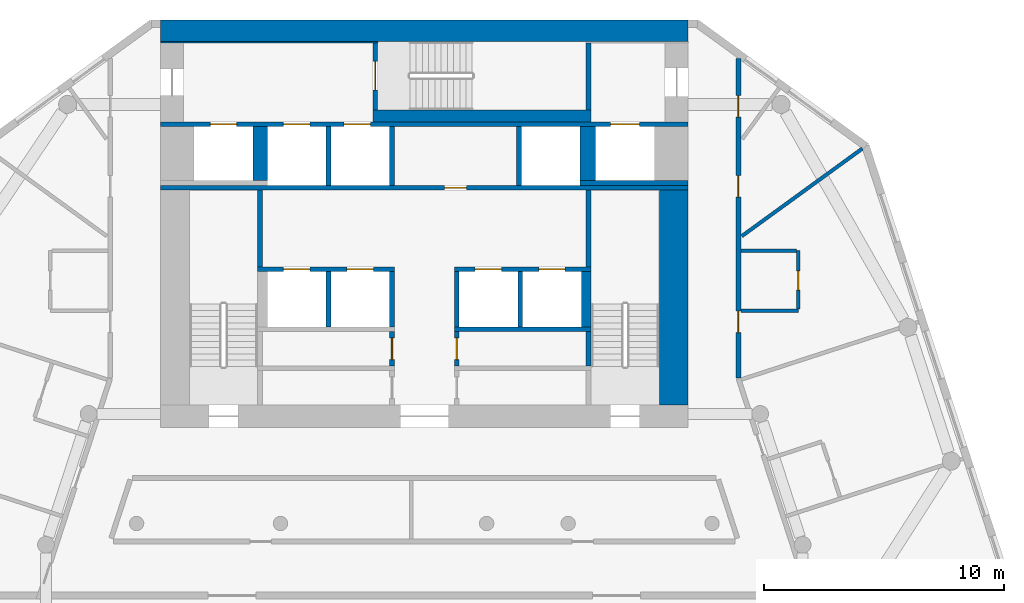
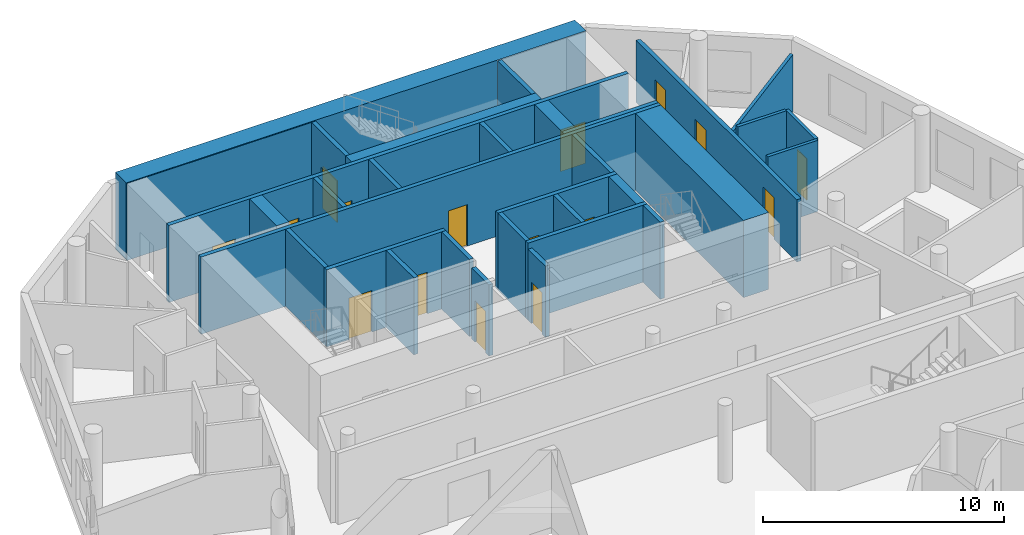
# One storey, part 6 of 9: 32 walls, 16 doors, 16 openings.
"""IFC4 building model written with IfcOpenShell, lengths in metres."""

from ifc_helpers import new_model, si_unit, direction, frame, frame_2d, origin, place, context, subcontext, project, spatial, rectangle, extrude, material, layer, layer_set, type_object, element, fill, save


model = new_model("IFC4")

# Units and contexts
model_context = context("Model", 3, precision=1e-05, world=origin(), true_north=direction((0.0, 1.0)))
body_context = subcontext(model_context, "Body", "Model", "MODEL_VIEW")
ifc_project = project(units=[si_unit("LENGTHUNIT", "METRE"), si_unit("AREAUNIT", "SQUARE_METRE"), si_unit("VOLUMEUNIT", "CUBIC_METRE"), si_unit("PLANEANGLEUNIT", "RADIAN"), si_unit("MASSUNIT", "GRAM", prefix="KILO")], contexts=[model_context])

# Site, building, storey
site_placement = place(None, origin())
site = spatial("IfcSite", under=ifc_project, at=site_placement, CompositionType="ELEMENT")
building_placement = place(site_placement, origin())
building = spatial("IfcBuilding", under=site, at=building_placement, Name="White Candle Pilgrim Tower", CompositionType="ELEMENT")
storey_placement = place(building_placement, frame((0.0, 0.0, 187.60009765625)))
storey = spatial("IfcBuildingStorey", under=building, at=storey_placement, Name="L43", CompositionType="ELEMENT", Elevation=187.60009765625)

# Wall
ifc_material_1 = material(Name="Concrete C60/75", Category="concrete")
ifc_layer_1 = layer(ifc_material_1, 0.199951171875)
ifc_layer_set_1 = layer_set([ifc_layer_1], Name="Core wall 200 mm Concrete C60/75")
wall_type_1 = type_object("IfcWallType", Name="Core wall 200 mm Concrete C60/75", PredefinedType="SHEAR", material=ifc_layer_set_1)
wall_1_placement = place(storey_placement, frame((76.5, 81.199951171875, 0.0), z_axis=(0.0, 0.0, 1.0), x_axis=(1.0, 0.0, 0.0)))
element("IfcWall", 1, at=wall_1_placement, inside=storey, type_object=wall_type_1, Name="WL-L43-C41", PredefinedType="SHEAR", context=body_context, shape_type="SweptSolid", body=[
    extrude(rectangle(XDim=4.5, YDim=0.199951171875, at=frame_2d((2.25, 0.0))), origin(), (0.0, 0.0, 1.0), 3.89990234375),
])

# Wall, openings, doors
wall_2_placement = place(storey_placement, frame((59.0, 83.64990234375, 0.0), z_axis=(0.0, 0.0, 1.0), x_axis=(1.0, 0.0, 0.0)))
wall_2 = element("IfcWall", 2, at=wall_2_placement, inside=storey, type_object=wall_type_1, Name="WL-L43-C46", PredefinedType="SHEAR", context=body_context, shape_type="SweptSolid", body=[
    extrude(rectangle(XDim=22.0, YDim=0.199951171875, at=frame_2d((11.0, 0.0))), origin(), (0.0, 0.0, 1.0), 3.89990234375),
])
opening_1_placement = place(wall_2_placement, frame((5.125, 0.0, 0.0)))
opening_1 = element("IfcOpeningElement", 3, at=opening_1_placement, cuts=wall_2, Name="Opening T13-019", PredefinedType="OPENING", context=body_context, shape_type="SweptSolid", body=[
    extrude(rectangle(XDim=1.10009765625, YDim=2.10009765625, at=frame_2d((0.550048828125, 1.050048828125))), frame((0.0, 0.10986328125, 0.0), z_axis=(0.0, -1.0, 0.0), x_axis=(1.0, 0.0, 0.0)), (0.0, 0.0, 1.0), 0.219970703125),
])
opening_2_placement = place(wall_2_placement, frame((7.64990234375, 0.0, 0.0)))
opening_2 = element("IfcOpeningElement", 4, at=opening_2_placement, cuts=wall_2, Name="Opening T13-020", PredefinedType="OPENING", context=body_context, shape_type="SweptSolid", body=[
    extrude(rectangle(XDim=1.10009765625, YDim=2.10009765625, at=frame_2d((0.550048828125, 1.050048828125))), frame((0.0, 0.10986328125, 0.0), z_axis=(0.0, -1.0, 0.0), x_axis=(1.0, 0.0, 0.0)), (0.0, 0.0, 1.0), 0.219970703125),
])
opening_3_placement = place(wall_2_placement, frame((18.77490234375, 0.0, 0.0)))
opening_3 = element("IfcOpeningElement", 5, at=opening_3_placement, cuts=wall_2, Name="Opening T13-021", PredefinedType="OPENING", context=body_context, shape_type="SweptSolid", body=[
    extrude(rectangle(XDim=1.199951171875, YDim=2.10009765625, at=frame_2d((0.60009765625, 1.050048828125))), frame((0.0, 0.10986328125, 0.0), z_axis=(0.0, -1.0, 0.0), x_axis=(1.0, 0.0, 0.0)), (0.0, 0.0, 1.0), 0.219970703125),
])
opening_4_placement = place(wall_2_placement, frame((2.074951171875, 0.0, 0.0)))
opening_4 = element("IfcOpeningElement", 6, at=opening_4_placement, cuts=wall_2, Name="Opening T13-022", PredefinedType="OPENING", context=body_context, shape_type="SweptSolid", body=[
    extrude(rectangle(XDim=1.10009765625, YDim=2.10009765625, at=frame_2d((0.550048828125, 1.050048828125))), frame((0.0, 0.10986328125, 0.0), z_axis=(0.0, -1.0, 0.0), x_axis=(1.0, 0.0, 0.0)), (0.0, 0.0, 1.0), 0.219970703125),
])
ifc_material_2 = material(Name="Stainless steel", Category="steel")
door_type_1 = type_object("IfcDoorType", Name="Lift landing door 1100 x 2100 EI 60", OperationType="DOUBLE_DOOR_SLIDING", PredefinedType="DOOR", material=ifc_material_2)
door_1_placement = place(opening_1_placement, origin())
door_1 = element("IfcDoor", 7, at=door_1_placement, inside=storey, type_object=door_type_1, Name="Door T13-019", OperationType="DOUBLE_DOOR_SLIDING", OverallHeight=2.10009765625, OverallWidth=1.10009765625, PredefinedType="DOOR", context=body_context, shape_type="SweptSolid", body=[
    extrude(rectangle(XDim=1.10009765625, YDim=2.10009765625, at=frame_2d((0.550048828125, 1.050048828125))), frame((0.0, 0.02490234375, 0.0), z_axis=(0.0, -1.0, 0.0), x_axis=(1.0, 0.0, 0.0)), (0.0, 0.0, 1.0), 0.050048828125),
])
fill(opening_1, door_1)
door_2_placement = place(opening_2_placement, origin())
door_2 = element("IfcDoor", 8, at=door_2_placement, inside=storey, type_object=door_type_1, Name="Door T13-020", OperationType="DOUBLE_DOOR_SLIDING", OverallHeight=2.10009765625, OverallWidth=1.10009765625, PredefinedType="DOOR", context=body_context, shape_type="SweptSolid", body=[
    extrude(rectangle(XDim=1.10009765625, YDim=2.10009765625, at=frame_2d((0.550048828125, 1.050048828125))), frame((0.0, 0.02490234375, 0.0), z_axis=(0.0, -1.0, 0.0), x_axis=(1.0, 0.0, 0.0)), (0.0, 0.0, 1.0), 0.050048828125),
])
fill(opening_2, door_2)
door_3_placement = place(opening_4_placement, origin())
door_3 = element("IfcDoor", 9, at=door_3_placement, inside=storey, type_object=door_type_1, Name="Door T13-022", OperationType="DOUBLE_DOOR_SLIDING", OverallHeight=2.10009765625, OverallWidth=1.10009765625, PredefinedType="DOOR", context=body_context, shape_type="SweptSolid", body=[
    extrude(rectangle(XDim=1.10009765625, YDim=2.10009765625, at=frame_2d((0.550048828125, 1.050048828125))), frame((0.0, 0.02490234375, 0.0), z_axis=(0.0, -1.0, 0.0), x_axis=(1.0, 0.0, 0.0)), (0.0, 0.0, 1.0), 0.050048828125),
])
fill(opening_4, door_3)
door_type_2 = type_object("IfcDoorType", Name="Lift landing door 1200 x 2100 E 60", OperationType="DOUBLE_DOOR_SLIDING", PredefinedType="DOOR", material=ifc_material_2)
door_4_placement = place(opening_3_placement, origin())
door_4 = element("IfcDoor", 10, at=door_4_placement, inside=storey, type_object=door_type_2, Name="Door T13-021", OperationType="DOUBLE_DOOR_SLIDING", OverallHeight=2.10009765625, OverallWidth=1.199951171875, PredefinedType="DOOR", context=body_context, shape_type="SweptSolid", body=[
    extrude(rectangle(XDim=1.199951171875, YDim=2.10009765625, at=frame_2d((0.60009765625, 1.050048828125))), frame((0.0, 0.02490234375, 0.0), z_axis=(0.0, -1.0, 0.0), x_axis=(1.0, 0.0, 0.0)), (0.0, 0.0, 1.0), 0.050048828125),
])
fill(opening_3, door_4)

ifc_material_3 = material(Name="Gypsum board on steel studs", Category="steel")
ifc_layer_2 = layer(ifc_material_3, 0.199951171875)
ifc_layer_set_2 = layer_set([ifc_layer_2], Name="Corridor wall 200 mm EI 45")
wall_type_2 = type_object("IfcWallType", Name="Corridor wall 200 mm EI 45", PredefinedType="PARTITIONING", material=ifc_layer_set_2)
wall_3_placement = place(storey_placement, frame((83.10009765625, 86.396240234375, 0.0), z_axis=(0.0, 0.0, 1.0), x_axis=(0.0, -1.0, 0.0)))
wall_3 = element("IfcWall", 11, at=wall_3_placement, inside=storey, type_object=wall_type_2, Name="WL-L43-P004", PredefinedType="PARTITIONING", context=body_context, shape_type="SweptSolid", body=[
    extrude(rectangle(XDim=13.32421875, YDim=0.199951171875, at=frame_2d((6.662109375, 0.0))), origin(), (0.0, 0.0, 1.0), 3.14990234375),
])
opening_5_placement = place(wall_3_placement, frame((1.548583984375, 0.0, 0.0)))
opening_5 = element("IfcOpeningElement", 12, at=opening_5_placement, cuts=wall_3, Name="Opening T13-129", PredefinedType="OPENING", context=body_context, shape_type="SweptSolid", body=[
    extrude(rectangle(XDim=0.89990234375, YDim=2.10009765625, at=frame_2d((0.449951171875, 1.050048828125))), frame((0.0, 0.10986328125, 0.0), z_axis=(0.0, -1.0, 0.0), x_axis=(1.0, 0.0, 0.0)), (0.0, 0.0, 1.0), 0.219970703125),
])
opening_6_placement = place(wall_3_placement, frame((4.882568359375, 0.0, 0.0)))
opening_6 = element("IfcOpeningElement", 13, at=opening_6_placement, cuts=wall_3, Name="Opening T13-130", PredefinedType="OPENING", context=body_context, shape_type="SweptSolid", body=[
    extrude(rectangle(XDim=0.89990234375, YDim=2.10009765625, at=frame_2d((0.449951171875, 1.050048828125))), frame((0.0, 0.10986328125, 0.0), z_axis=(0.0, -1.0, 0.0), x_axis=(1.0, 0.0, 0.0)), (0.0, 0.0, 1.0), 0.219970703125),
])
opening_7_placement = place(wall_3_placement, frame((10.53857421875, 0.0, 0.0)))
opening_7 = element("IfcOpeningElement", 14, at=opening_7_placement, cuts=wall_3, Name="Opening T13-131", PredefinedType="OPENING", context=body_context, shape_type="SweptSolid", body=[
    extrude(rectangle(XDim=0.89990234375, YDim=2.10009765625, at=frame_2d((0.449951171875, 1.050048828125))), frame((0.0, 0.10986328125, 0.0), z_axis=(0.0, -1.0, 0.0), x_axis=(1.0, 0.0, 0.0)), (0.0, 0.0, 1.0), 0.219970703125),
])
ifc_material_4 = material(Name="Steel door leaf", Category="steel")
door_type_3 = type_object("IfcDoorType", Name="Fire door 900 x 2100 EI 30", OperationType="NOTDEFINED", PredefinedType="DOOR", material=ifc_material_4)
door_5_placement = place(opening_5_placement, origin())
door_5 = element("IfcDoor", 15, at=door_5_placement, inside=storey, type_object=door_type_3, Name="Door T13-129", OperationType="SINGLE_SWING_LEFT", OverallHeight=2.10009765625, OverallWidth=0.89990234375, PredefinedType="DOOR", context=body_context, shape_type="SweptSolid", body=[
    extrude(rectangle(XDim=0.89990234375, YDim=2.10009765625, at=frame_2d((0.449951171875, 1.050048828125))), frame((0.0, 0.02490234375, 0.0), z_axis=(0.0, -1.0, 0.0), x_axis=(1.0, 0.0, 0.0)), (0.0, 0.0, 1.0), 0.050048828125),
])
fill(opening_5, door_5)
door_6_placement = place(opening_6_placement, origin())
door_6 = element("IfcDoor", 16, at=door_6_placement, inside=storey, type_object=door_type_3, Name="Door T13-130", OperationType="SINGLE_SWING_RIGHT", OverallHeight=2.10009765625, OverallWidth=0.89990234375, PredefinedType="DOOR", context=body_context, shape_type="SweptSolid", body=[
    extrude(rectangle(XDim=0.89990234375, YDim=2.10009765625, at=frame_2d((0.449951171875, 1.050048828125))), frame((0.0, 0.02490234375, 0.0), z_axis=(0.0, -1.0, 0.0), x_axis=(1.0, 0.0, 0.0)), (0.0, 0.0, 1.0), 0.050048828125),
])
fill(opening_6, door_6)
door_7_placement = place(opening_7_placement, frame((0.89990234375, 0.0, 0.0), z_axis=(0.0, 0.0, 1.0), x_axis=(-1.0, 0.0, 0.0)))
door_7 = element("IfcDoor", 17, at=door_7_placement, inside=storey, type_object=door_type_3, Name="Door T13-131", OperationType="SINGLE_SWING_RIGHT", OverallHeight=2.10009765625, OverallWidth=0.89990234375, PredefinedType="DOOR", context=body_context, shape_type="SweptSolid", body=[
    extrude(rectangle(XDim=0.89990234375, YDim=2.10009765625, at=frame_2d((0.449951171875, 1.050048828125))), frame((0.0, 0.02490234375, 0.0), z_axis=(0.0, -1.0, 0.0), x_axis=(1.0, 0.0, 0.0)), (0.0, 0.0, 1.0), 0.050048828125),
])
fill(opening_7, door_7)

# Wall, opening, door
ifc_layer_3 = layer(ifc_material_3, 0.199951171875)
ifc_layer_set_3 = layer_set([ifc_layer_3], Name="Lobby wall 200 mm EI 60")
wall_type_3 = type_object("IfcWallType", Name="Lobby wall 200 mm EI 60", PredefinedType="PARTITIONING", material=ifc_layer_set_3)
wall_4_placement = place(storey_placement, frame((68.64990234375, 73.574951171875, 0.0), z_axis=(0.0, 0.0, 1.0), x_axis=(0.0, 1.0, 0.0)))
wall_4 = element("IfcWall", 18, at=wall_4_placement, inside=storey, type_object=wall_type_3, Name="WL-L43-C21", PredefinedType="PARTITIONING", context=body_context, shape_type="SweptSolid", body=[
    extrude(rectangle(XDim=1.425048828125, YDim=0.199951171875, at=frame_2d((0.71240234375, 0.0))), origin(), (0.0, 0.0, 1.0), 3.599853515625),
])
opening_8_placement = place(wall_4_placement, frame((0.262451171875, 0.0, 0.0)))
opening_8 = element("IfcOpeningElement", 19, at=opening_8_placement, cuts=wall_4, Name="Opening T13-006", PredefinedType="OPENING", context=body_context, shape_type="SweptSolid", body=[
    extrude(rectangle(XDim=0.89990234375, YDim=2.10009765625, at=frame_2d((0.449951171875, 1.050048828125))), frame((0.0, 0.10986328125, 0.0), z_axis=(0.0, -1.0, 0.0), x_axis=(1.0, 0.0, 0.0)), (0.0, 0.0, 1.0), 0.219970703125),
])
door_8_placement = place(opening_8_placement, origin())
door_8 = element("IfcDoor", 20, at=door_8_placement, inside=storey, type_object=door_type_3, Name="Door T13-006", OperationType="SINGLE_SWING_RIGHT", OverallHeight=2.10009765625, OverallWidth=0.89990234375, PredefinedType="DOOR", context=body_context, shape_type="SweptSolid", body=[
    extrude(rectangle(XDim=0.89990234375, YDim=2.10009765625, at=frame_2d((0.449951171875, 1.050048828125))), frame((0.0, 0.02490234375, 0.0), z_axis=(0.0, -1.0, 0.0), x_axis=(1.0, 0.0, 0.0)), (0.0, 0.0, 1.0), 0.050048828125),
])
fill(opening_8, door_8)

wall_5_placement = place(storey_placement, frame((71.35009765625, 73.574951171875, 0.0), z_axis=(0.0, 0.0, 1.0), x_axis=(0.0, 1.0, 0.0)))
wall_5 = element("IfcWall", 21, at=wall_5_placement, inside=storey, type_object=wall_type_3, Name="WL-L43-C22", PredefinedType="PARTITIONING", context=body_context, shape_type="SweptSolid", body=[
    extrude(rectangle(XDim=1.425048828125, YDim=0.199951171875, at=frame_2d((0.71240234375, 0.0))), origin(), (0.0, 0.0, 1.0), 3.599853515625),
])
opening_9_placement = place(wall_5_placement, frame((0.262451171875, 0.0, 0.0)))
opening_9 = element("IfcOpeningElement", 22, at=opening_9_placement, cuts=wall_5, Name="Opening T13-008", PredefinedType="OPENING", context=body_context, shape_type="SweptSolid", body=[
    extrude(rectangle(XDim=0.89990234375, YDim=2.10009765625, at=frame_2d((0.449951171875, 1.050048828125))), frame((0.0, 0.10986328125, 0.0), z_axis=(0.0, -1.0, 0.0), x_axis=(1.0, 0.0, 0.0)), (0.0, 0.0, 1.0), 0.219970703125),
])
door_9_placement = place(opening_9_placement, origin())
door_9 = element("IfcDoor", 23, at=door_9_placement, inside=storey, type_object=door_type_3, Name="Door T13-008", OperationType="SINGLE_SWING_RIGHT", OverallHeight=2.10009765625, OverallWidth=0.89990234375, PredefinedType="DOOR", context=body_context, shape_type="SweptSolid", body=[
    extrude(rectangle(XDim=0.89990234375, YDim=2.10009765625, at=frame_2d((0.449951171875, 1.050048828125))), frame((0.0, 0.02490234375, 0.0), z_axis=(0.0, -1.0, 0.0), x_axis=(1.0, 0.0, 0.0)), (0.0, 0.0, 1.0), 0.050048828125),
])
fill(opening_9, door_9)

# Walls
ifc_layer_4 = layer(ifc_material_3, 0.14990234375)
ifc_layer_set_4 = layer_set([ifc_layer_4], Name="Partition 150 mm EI 60")
wall_type_4 = type_object("IfcWallType", Name="Partition 150 mm EI 60", PredefinedType="PARTITIONING", material=ifc_layer_set_4)
wall_6_placement = place(storey_placement, frame((88.272216796875, 82.638427734375, 0.0), z_axis=(0.0, 0.0, 1.0), x_axis=(-0.809038352218, -0.58775585462, 0.0)))
element("IfcWall", 24, at=wall_6_placement, inside=storey, type_object=wall_type_4, Name="WL-L43-P024", PredefinedType="PARTITIONING", context=body_context, shape_type="SweptSolid", body=[
    extrude(rectangle(XDim=6.21484375, YDim=0.14990234375, at=frame_2d((3.107421875, 0.0))), origin(), (0.0, 0.0, 1.0), 2.89990234375),
])
wall_7_placement = place(storey_placement, frame((83.199951171875, 75.880859375, 0.0), z_axis=(0.0, 0.0, 1.0), x_axis=(1.0, 0.0, 0.0)))
element("IfcWall", 25, at=wall_7_placement, inside=storey, type_object=wall_type_4, Name="WL-L43-P055", PredefinedType="PARTITIONING", context=body_context, shape_type="SweptSolid", body=[
    extrude(rectangle(XDim=2.400146484375, YDim=0.14990234375, at=frame_2d((1.2001953125, 0.0))), origin(), (0.0, 0.0, 1.0), 3.599853515625),
])

# Wall, opening, door
wall_8_placement = place(storey_placement, frame((85.60009765625, 78.380859375, 0.0), z_axis=(0.0, 0.0, 1.0), x_axis=(0.0, -1.0, 0.0)))
wall_8 = element("IfcWall", 26, at=wall_8_placement, inside=storey, type_object=wall_type_4, Name="WL-L43-P056", PredefinedType="PARTITIONING", context=body_context, shape_type="SweptSolid", body=[
    extrude(rectangle(XDim=2.425048828125, YDim=0.14990234375, at=frame_2d((1.21240234375, 0.0))), origin(), (0.0, 0.0, 1.0), 3.599853515625),
])
opening_10_placement = place(wall_8_placement, frame((0.85009765625, 0.0, 0.0)))
opening_10 = element("IfcOpeningElement", 27, at=opening_10_placement, cuts=wall_8, Name="Opening T13-119", PredefinedType="OPENING", context=body_context, shape_type="SweptSolid", body=[
    extrude(rectangle(XDim=0.800048828125, YDim=2.10009765625, at=frame_2d((0.39990234375, 1.050048828125))), frame((0.0, 0.0849609375, 0.0), z_axis=(0.0, -1.0, 0.0), x_axis=(1.0, 0.0, 0.0)), (0.0, 0.0, 1.0), 0.169921875),
])
door_type_4 = type_object("IfcDoorType", Name="Fire door 800 x 2100 EI 30", OperationType="NOTDEFINED", PredefinedType="DOOR", material=ifc_material_4)
door_10_placement = place(opening_10_placement, origin())
door_10 = element("IfcDoor", 28, at=door_10_placement, inside=storey, type_object=door_type_4, Name="Door T13-119", OperationType="SINGLE_SWING_LEFT", OverallHeight=2.10009765625, OverallWidth=0.800048828125, PredefinedType="DOOR", context=body_context, shape_type="SweptSolid", body=[
    extrude(rectangle(XDim=0.800048828125, YDim=2.10009765625, at=frame_2d((0.39990234375, 1.050048828125))), frame((0.0, 0.02490234375, 0.0), z_axis=(0.0, -1.0, 0.0), x_axis=(1.0, 0.0, 0.0)), (0.0, 0.0, 1.0), 0.050048828125),
])
fill(opening_10, door_10)

# Walls
wall_9_placement = place(storey_placement, frame((83.199951171875, 78.380859375, 0.0), z_axis=(0.0, 0.0, 1.0), x_axis=(1.0, 0.0, 0.0)))
element("IfcWall", 29, at=wall_9_placement, inside=storey, type_object=wall_type_4, Name="WL-L43-P057", PredefinedType="PARTITIONING", context=body_context, shape_type="SweptSolid", body=[
    extrude(rectangle(XDim=2.324951171875, YDim=0.14990234375, at=frame_2d((1.16259765625, 0.0))), origin(), (0.0, 0.0, 1.0), 3.599853515625),
])
ifc_layer_5 = layer(ifc_material_1, 0.199951171875)
ifc_layer_set_5 = layer_set([ifc_layer_5], Name="Shaft wall 200 mm Concrete C60/75")
wall_type_5 = type_object("IfcWallType", Name="Shaft wall 200 mm Concrete C60/75", PredefinedType="SHEAR", material=ifc_layer_set_5)
for number, where, z_axis, x_axis, name in (
    (30, (66.0, 75.199951171875, 0.0), (0.0, 0.0, 1.0), (0.0, 1.0, 0.0), "WL-L43-C27"),
    (31, (68.64990234375, 75.199951171875, 0.0), (0.0, 0.0, 1.0), (0.0, 1.0, 0.0), "WL-L43-C28"),
    (32, (71.35009765625, 75.199951171875, 0.0), (0.0, 0.0, 1.0), (0.0, 1.0, 0.0), "WL-L43-C29"),
    (33, (74.0, 75.199951171875, 0.0), (0.0, 0.0, 1.0), (0.0, 1.0, 0.0), "WL-L43-C30"),
):
    element("IfcWall", number, at=place(storey_placement, frame(where, z_axis=z_axis, x_axis=x_axis)), inside=storey, type_object=wall_type_5, Name=name, PredefinedType="SHEAR", context=body_context, shape_type="SweptSolid", body=[
        extrude(rectangle(XDim=2.300048828125, YDim=0.199951171875, at=frame_2d((1.14990234375, 0.0))), origin(), (0.0, 0.0, 1.0), 3.89990234375),
    ])
for number, where, z_axis, x_axis, name in (
    (34, (66.0, 81.10009765625, 0.0), (0.0, 0.0, 1.0), (0.0, 1.0, 0.0), "WL-L43-C38"),
    (35, (68.64990234375, 81.10009765625, 0.0), (0.0, 0.0, 1.0), (0.0, 1.0, 0.0), "WL-L43-C39"),
    (36, (73.949951171875, 81.10009765625, 0.0), (0.0, 0.0, 1.0), (0.0, 1.0, 0.0), "WL-L43-C40"),
):
    element("IfcWall", number, at=place(storey_placement, frame(where, z_axis=z_axis, x_axis=x_axis)), inside=storey, type_object=wall_type_5, Name=name, PredefinedType="SHEAR", context=body_context, shape_type="SweptSolid", body=[
        extrude(rectangle(XDim=2.449951171875, YDim=0.199951171875, at=frame_2d((1.22509765625, 0.0))), origin(), (0.0, 0.0, 1.0), 3.89990234375),
    ])
ifc_layer_6 = layer(ifc_material_1, 0.60009765625)
ifc_layer_set_6 = layer_set([ifc_layer_6], Name="Shaft wall 600 mm Concrete C60/75")
wall_type_6 = type_object("IfcWallType", Name="Shaft wall 600 mm Concrete C60/75", PredefinedType="SHEAR", material=ifc_layer_set_6)
wall_10_placement = place(storey_placement, frame((63.14990234375, 81.300048828125, 0.0), z_axis=(0.0, 0.0, 1.0), x_axis=(0.0, 1.0, 0.0)))
element("IfcWall", 37, at=wall_10_placement, inside=storey, type_object=wall_type_6, Name="WL-L43-C43", PredefinedType="SHEAR", context=body_context, shape_type="SweptSolid", body=[
    extrude(rectangle(XDim=2.25, YDim=0.60009765625, at=frame_2d((1.125, 0.0))), origin(), (0.0, 0.0, 1.0), 3.89990234375),
])
ifc_layer_7 = layer(ifc_material_1, 0.64990234375)
ifc_layer_set_7 = layer_set([ifc_layer_7], Name="Shaft wall 650 mm Concrete C60/75")
wall_type_7 = type_object("IfcWallType", Name="Shaft wall 650 mm Concrete C60/75", PredefinedType="SHEAR", material=ifc_layer_set_7)
wall_11_placement = place(storey_placement, frame((76.824951171875, 81.300048828125, 0.0), z_axis=(0.0, 0.0, 1.0), x_axis=(0.0, 1.0, 0.0)))
element("IfcWall", 38, at=wall_11_placement, inside=storey, type_object=wall_type_7, Name="WL-L43-C44", PredefinedType="SHEAR", context=body_context, shape_type="SweptSolid", body=[
    extrude(rectangle(XDim=2.25, YDim=0.64990234375, at=frame_2d((1.125, 0.0))), origin(), (0.0, 0.0, 1.0), 3.89990234375),
])
ifc_layer_8 = layer(ifc_material_1, 1.199951171875)
ifc_layer_set_8 = layer_set([ifc_layer_8], Name="Stair shaft wall 1200 mm Concrete C60/75")
wall_type_8 = type_object("IfcWallType", Name="Stair shaft wall 1200 mm Concrete C60/75", PredefinedType="SHEAR", material=ifc_layer_set_8)
wall_12_placement = place(storey_placement, frame((80.39990234375, 71.949951171875, 0.0), z_axis=(0.0, 0.0, 1.0), x_axis=(0.0, 1.0, 0.0)))
element("IfcWall", 39, at=wall_12_placement, inside=storey, type_object=wall_type_8, Name="WL-L43-C17", PredefinedType="SHEAR", context=body_context, shape_type="SweptSolid", body=[
    extrude(rectangle(XDim=8.949951171875, YDim=1.199951171875, at=frame_2d((4.47509765625, 0.0))), origin(), (0.0, 0.0, 1.0), 3.89990234375),
])
ifc_layer_9 = layer(ifc_material_1, 0.199951171875)
ifc_layer_set_9 = layer_set([ifc_layer_9], Name="Stair shaft wall 200 mm Concrete C60/75")
wall_type_9 = type_object("IfcWallType", Name="Stair shaft wall 200 mm Concrete C60/75", PredefinedType="SHEAR", material=ifc_layer_set_9)
wall_13_placement = place(storey_placement, frame((76.85009765625, 73.574951171875, 0.0), z_axis=(0.0, 0.0, 1.0), x_axis=(0.0, 1.0, 0.0)))
element("IfcWall", 40, at=wall_13_placement, inside=storey, type_object=wall_type_9, Name="WL-L43-C23", PredefinedType="SHEAR", context=body_context, shape_type="SweptSolid", body=[
    extrude(rectangle(XDim=1.425048828125, YDim=0.199951171875, at=frame_2d((0.71240234375, 0.0))), origin(), (0.0, 0.0, 1.0), 3.89990234375),
])
wall_14_placement = place(storey_placement, frame((71.25, 75.10009765625, 0.0), z_axis=(0.0, 0.0, 1.0), x_axis=(1.0, 0.0, 0.0)))
element("IfcWall", 41, at=wall_14_placement, inside=storey, type_object=wall_type_9, Name="WL-L43-C25", PredefinedType="SHEAR", context=body_context, shape_type="SweptSolid", body=[
    extrude(rectangle(XDim=5.699951171875, YDim=0.199951171875, at=frame_2d((2.85009765625, 0.0))), origin(), (0.0, 0.0, 1.0), 3.89990234375),
])

# Wall, openings, doors
wall_15_placement = place(storey_placement, frame((63.050048828125, 77.60009765625, 0.0), z_axis=(0.0, 0.0, 1.0), x_axis=(1.0, 0.0, 0.0)))
wall_15 = element("IfcWall", 42, at=wall_15_placement, inside=storey, type_object=wall_type_9, Name="WL-L43-C32", PredefinedType="SHEAR", context=body_context, shape_type="SweptSolid", body=[
    extrude(rectangle(XDim=5.699951171875, YDim=0.199951171875, at=frame_2d((2.85009765625, 0.0))), origin(), (0.0, 0.0, 1.0), 3.89990234375),
])
opening_11_placement = place(wall_15_placement, frame((1.074951171875, 0.0, 0.0)))
opening_11 = element("IfcOpeningElement", 43, at=opening_11_placement, cuts=wall_15, Name="Opening T13-015", PredefinedType="OPENING", context=body_context, shape_type="SweptSolid", body=[
    extrude(rectangle(XDim=1.10009765625, YDim=2.10009765625, at=frame_2d((0.550048828125, 1.050048828125))), frame((0.0, 0.10986328125, 0.0), z_axis=(0.0, -1.0, 0.0), x_axis=(1.0, 0.0, 0.0)), (0.0, 0.0, 1.0), 0.219970703125),
])
opening_12_placement = place(wall_15_placement, frame((3.72509765625, 0.0, 0.0)))
opening_12 = element("IfcOpeningElement", 44, at=opening_12_placement, cuts=wall_15, Name="Opening T13-016", PredefinedType="OPENING", context=body_context, shape_type="SweptSolid", body=[
    extrude(rectangle(XDim=1.10009765625, YDim=2.10009765625, at=frame_2d((0.550048828125, 1.050048828125))), frame((0.0, 0.10986328125, 0.0), z_axis=(0.0, -1.0, 0.0), x_axis=(1.0, 0.0, 0.0)), (0.0, 0.0, 1.0), 0.219970703125),
])
door_type_5 = type_object("IfcDoorType", Name="Lift landing door 1100 x 2100 E 60", OperationType="DOUBLE_DOOR_SLIDING", PredefinedType="DOOR", material=ifc_material_2)
door_11_placement = place(opening_11_placement, origin())
door_11 = element("IfcDoor", 45, at=door_11_placement, inside=storey, type_object=door_type_5, Name="Door T13-015", OperationType="DOUBLE_DOOR_SLIDING", OverallHeight=2.10009765625, OverallWidth=1.10009765625, PredefinedType="DOOR", context=body_context, shape_type="SweptSolid", body=[
    extrude(rectangle(XDim=1.10009765625, YDim=2.10009765625, at=frame_2d((0.550048828125, 1.050048828125))), frame((0.0, 0.02490234375, 0.0), z_axis=(0.0, -1.0, 0.0), x_axis=(1.0, 0.0, 0.0)), (0.0, 0.0, 1.0), 0.050048828125),
])
fill(opening_11, door_11)
door_12_placement = place(opening_12_placement, origin())
door_12 = element("IfcDoor", 46, at=door_12_placement, inside=storey, type_object=door_type_5, Name="Door T13-016", OperationType="DOUBLE_DOOR_SLIDING", OverallHeight=2.10009765625, OverallWidth=1.10009765625, PredefinedType="DOOR", context=body_context, shape_type="SweptSolid", body=[
    extrude(rectangle(XDim=1.10009765625, YDim=2.10009765625, at=frame_2d((0.550048828125, 1.050048828125))), frame((0.0, 0.02490234375, 0.0), z_axis=(0.0, -1.0, 0.0), x_axis=(1.0, 0.0, 0.0)), (0.0, 0.0, 1.0), 0.050048828125),
])
fill(opening_12, door_12)

wall_16_placement = place(storey_placement, frame((71.25, 77.60009765625, 0.0), z_axis=(0.0, 0.0, 1.0), x_axis=(1.0, 0.0, 0.0)))
wall_16 = element("IfcWall", 47, at=wall_16_placement, inside=storey, type_object=wall_type_9, Name="WL-L43-C33", PredefinedType="SHEAR", context=body_context, shape_type="SweptSolid", body=[
    extrude(rectangle(XDim=5.699951171875, YDim=0.199951171875, at=frame_2d((2.85009765625, 0.0))), origin(), (0.0, 0.0, 1.0), 3.89990234375),
])
opening_13_placement = place(wall_16_placement, frame((0.875, 0.0, 0.0)))
opening_13 = element("IfcOpeningElement", 48, at=opening_13_placement, cuts=wall_16, Name="Opening T13-017", PredefinedType="OPENING", context=body_context, shape_type="SweptSolid", body=[
    extrude(rectangle(XDim=1.10009765625, YDim=2.10009765625, at=frame_2d((0.550048828125, 1.050048828125))), frame((0.0, 0.10986328125, 0.0), z_axis=(0.0, -1.0, 0.0), x_axis=(1.0, 0.0, 0.0)), (0.0, 0.0, 1.0), 0.219970703125),
])
opening_14_placement = place(wall_16_placement, frame((3.52490234375, 0.0, 0.0)))
opening_14 = element("IfcOpeningElement", 49, at=opening_14_placement, cuts=wall_16, Name="Opening T13-018", PredefinedType="OPENING", context=body_context, shape_type="SweptSolid", body=[
    extrude(rectangle(XDim=1.10009765625, YDim=2.10009765625, at=frame_2d((0.550048828125, 1.050048828125))), frame((0.0, 0.10986328125, 0.0), z_axis=(0.0, -1.0, 0.0), x_axis=(1.0, 0.0, 0.0)), (0.0, 0.0, 1.0), 0.219970703125),
])
door_13_placement = place(opening_13_placement, origin())
door_13 = element("IfcDoor", 50, at=door_13_placement, inside=storey, type_object=door_type_5, Name="Door T13-017", OperationType="DOUBLE_DOOR_SLIDING", OverallHeight=2.10009765625, OverallWidth=1.10009765625, PredefinedType="DOOR", context=body_context, shape_type="SweptSolid", body=[
    extrude(rectangle(XDim=1.10009765625, YDim=2.10009765625, at=frame_2d((0.550048828125, 1.050048828125))), frame((0.0, 0.02490234375, 0.0), z_axis=(0.0, -1.0, 0.0), x_axis=(1.0, 0.0, 0.0)), (0.0, 0.0, 1.0), 0.050048828125),
])
fill(opening_13, door_13)
door_14_placement = place(opening_14_placement, origin())
door_14 = element("IfcDoor", 51, at=door_14_placement, inside=storey, type_object=door_type_5, Name="Door T13-018", OperationType="DOUBLE_DOOR_SLIDING", OverallHeight=2.10009765625, OverallWidth=1.10009765625, PredefinedType="DOOR", context=body_context, shape_type="SweptSolid", body=[
    extrude(rectangle(XDim=1.10009765625, YDim=2.10009765625, at=frame_2d((0.550048828125, 1.050048828125))), frame((0.0, 0.02490234375, 0.0), z_axis=(0.0, -1.0, 0.0), x_axis=(1.0, 0.0, 0.0)), (0.0, 0.0, 1.0), 0.050048828125),
])
fill(opening_14, door_14)

# Walls
for number, where, z_axis, x_axis, name in (
    (52, (63.14990234375, 77.699951171875, 0.0), (0.0, 0.0, 1.0), (0.0, 1.0, 0.0), "WL-L43-C34"),
    (53, (76.85009765625, 77.699951171875, 0.0), (0.0, 0.0, 1.0), (0.0, 1.0, 0.0), "WL-L43-C35"),
):
    element("IfcWall", number, at=place(storey_placement, frame(where, z_axis=z_axis, x_axis=x_axis)), inside=storey, type_object=wall_type_9, Name=name, PredefinedType="SHEAR", context=body_context, shape_type="SweptSolid", body=[
        extrude(rectangle(XDim=3.199951171875, YDim=0.199951171875, at=frame_2d((1.60009765625, 0.0))), origin(), (0.0, 0.0, 1.0), 3.89990234375),
    ])

# Wall, opening, door
wall_17_placement = place(storey_placement, frame((59.0, 81.0, 0.0), z_axis=(0.0, 0.0, 1.0), x_axis=(1.0, 0.0, 0.0)))
wall_17 = element("IfcWall", 54, at=wall_17_placement, inside=storey, type_object=wall_type_9, Name="WL-L43-C36", PredefinedType="SHEAR", context=body_context, shape_type="SweptSolid", body=[
    extrude(rectangle(XDim=22.0, YDim=0.199951171875, at=frame_2d((11.0, 0.0))), origin(), (0.0, 0.0, 1.0), 3.89990234375),
])
opening_15_placement = place(wall_17_placement, frame((11.85009765625, 0.0, 0.0)))
opening_15 = element("IfcOpeningElement", 55, at=opening_15_placement, cuts=wall_17, Name="Opening T13-023", PredefinedType="OPENING", context=body_context, shape_type="SweptSolid", body=[
    extrude(rectangle(XDim=0.89990234375, YDim=2.10009765625, at=frame_2d((0.449951171875, 1.050048828125))), frame((0.0, 0.10986328125, 0.0), z_axis=(0.0, -1.0, 0.0), x_axis=(1.0, 0.0, 0.0)), (0.0, 0.0, 1.0), 0.219970703125),
])
door_15_placement = place(opening_15_placement, origin())
door_15 = element("IfcDoor", 56, at=door_15_placement, inside=storey, type_object=door_type_3, Name="Door T13-023", OperationType="SINGLE_SWING_LEFT", OverallHeight=2.10009765625, OverallWidth=0.89990234375, PredefinedType="DOOR", context=body_context, shape_type="SweptSolid", body=[
    extrude(rectangle(XDim=0.89990234375, YDim=2.10009765625, at=frame_2d((0.449951171875, 1.050048828125))), frame((0.0, 0.02490234375, 0.0), z_axis=(0.0, -1.0, 0.0), x_axis=(1.0, 0.0, 0.0)), (0.0, 0.0, 1.0), 0.050048828125),
])
fill(opening_15, door_15)

wall_18_placement = place(storey_placement, frame((67.949951171875, 84.25, 0.0), z_axis=(0.0, 0.0, 1.0), x_axis=(0.0, 1.0, 0.0)))
wall_18 = element("IfcWall", 57, at=wall_18_placement, inside=storey, type_object=wall_type_9, Name="WL-L43-C50", PredefinedType="SHEAR", context=body_context, shape_type="SweptSolid", body=[
    extrude(rectangle(XDim=2.800048828125, YDim=0.199951171875, at=frame_2d((1.39990234375, 0.0))), origin(), (0.0, 0.0, 1.0), 3.89990234375),
])
opening_16_placement = place(wall_18_placement, frame((0.824951171875, 0.0, 0.0)))
opening_16 = element("IfcOpeningElement", 58, at=opening_16_placement, cuts=wall_18, Name="Opening T13-003", PredefinedType="OPENING", context=body_context, shape_type="SweptSolid", body=[
    extrude(rectangle(XDim=1.199951171875, YDim=2.10009765625, at=frame_2d((0.60009765625, 1.050048828125))), frame((0.0, 0.10986328125, 0.0), z_axis=(0.0, -1.0, 0.0), x_axis=(1.0, 0.0, 0.0)), (0.0, 0.0, 1.0), 0.219970703125),
])
door_type_6 = type_object("IfcDoorType", Name="Fire door 1200 x 2100 EI 60", OperationType="NOTDEFINED", PredefinedType="DOOR", material=ifc_material_4)
door_16_placement = place(opening_16_placement, frame((1.199951171875, 0.0, 0.0), z_axis=(0.0, 0.0, 1.0), x_axis=(-1.0, 0.0, 0.0)))
door_16 = element("IfcDoor", 59, at=door_16_placement, inside=storey, type_object=door_type_6, Name="Door T13-003", OperationType="SINGLE_SWING_RIGHT", OverallHeight=2.10009765625, OverallWidth=1.199951171875, PredefinedType="DOOR", context=body_context, shape_type="SweptSolid", body=[
    extrude(rectangle(XDim=1.199951171875, YDim=2.10009765625, at=frame_2d((0.60009765625, 1.050048828125))), frame((0.0, 0.02490234375, 0.0), z_axis=(0.0, -1.0, 0.0), x_axis=(1.0, 0.0, 0.0)), (0.0, 0.0, 1.0), 0.050048828125),
])
fill(opening_16, door_16)

# Walls
wall_19_placement = place(storey_placement, frame((76.85009765625, 84.25, 0.0), z_axis=(0.0, 0.0, 1.0), x_axis=(0.0, 1.0, 0.0)))
element("IfcWall", 60, at=wall_19_placement, inside=storey, type_object=wall_type_9, Name="WL-L43-C51", PredefinedType="SHEAR", context=body_context, shape_type="SweptSolid", body=[
    extrude(rectangle(XDim=2.800048828125, YDim=0.199951171875, at=frame_2d((1.39990234375, 0.0))), origin(), (0.0, 0.0, 1.0), 3.89990234375),
])
ifc_layer_10 = layer(ifc_material_1, 0.39990234375)
ifc_layer_set_10 = layer_set([ifc_layer_10], Name="Stair shaft wall 400 mm Concrete C60/75")
wall_type_10 = type_object("IfcWallType", Name="Stair shaft wall 400 mm Concrete C60/75", PredefinedType="SHEAR", material=ifc_layer_set_10)
wall_20_placement = place(storey_placement, frame((76.75, 75.199951171875, 0.0), z_axis=(0.0, 0.0, 1.0), x_axis=(0.0, 1.0, 0.0)))
element("IfcWall", 61, at=wall_20_placement, inside=storey, type_object=wall_type_10, Name="WL-L43-C31", PredefinedType="SHEAR", context=body_context, shape_type="SweptSolid", body=[
    extrude(rectangle(XDim=2.300048828125, YDim=0.39990234375, at=frame_2d((1.14990234375, 0.0))), origin(), (0.0, 0.0, 1.0), 3.89990234375),
])
ifc_layer_11 = layer(ifc_material_1, 0.050048828125)
ifc_layer_set_11 = layer_set([ifc_layer_11], Name="Stair shaft wall 50 mm Concrete C60/75")
wall_type_11 = type_object("IfcWallType", Name="Stair shaft wall 50 mm Concrete C60/75", PredefinedType="SHEAR", material=ifc_layer_set_11)
wall_21_placement = place(storey_placement, frame((59.0, 87.074951171875, 0.0), z_axis=(0.0, 0.0, 1.0), x_axis=(1.0, 0.0, 0.0)))
element("IfcWall", 62, at=wall_21_placement, inside=storey, type_object=wall_type_11, Name="WL-L43-C52", PredefinedType="SHEAR", context=body_context, shape_type="SweptSolid", body=[
    extrude(rectangle(XDim=9.050048828125, YDim=0.050048828125, at=frame_2d((4.52490234375, 0.0))), origin(), (0.0, 0.0, 1.0), 3.89990234375),
])
ifc_layer_12 = layer(ifc_material_1, 0.5)
ifc_layer_set_12 = layer_set([ifc_layer_12], Name="Stair shaft wall 500 mm Concrete C60/75")
wall_type_12 = type_object("IfcWallType", Name="Stair shaft wall 500 mm Concrete C60/75", PredefinedType="SHEAR", material=ifc_layer_set_12)
wall_22_placement = place(storey_placement, frame((67.85009765625, 84.0, 0.0), z_axis=(0.0, 0.0, 1.0), x_axis=(1.0, 0.0, 0.0)))
element("IfcWall", 63, at=wall_22_placement, inside=storey, type_object=wall_type_12, Name="WL-L43-C48", PredefinedType="SHEAR", context=body_context, shape_type="SweptSolid", body=[
    extrude(rectangle(XDim=9.099853515625, YDim=0.5, at=frame_2d((4.5498046875, 0.0))), origin(), (0.0, 0.0, 1.0), 3.89990234375),
])
ifc_layer_13 = layer(ifc_material_1, 0.89990234375)
ifc_layer_set_13 = layer_set([ifc_layer_13], Name="Stair shaft wall 900 mm Concrete C60/75")
wall_type_13 = type_object("IfcWallType", Name="Stair shaft wall 900 mm Concrete C60/75", PredefinedType="SHEAR", material=ifc_layer_set_13)
wall_23_placement = place(storey_placement, frame((59.0, 87.550048828125, 0.0), z_axis=(0.0, 0.0, 1.0), x_axis=(1.0, 0.0, 0.0)))
element("IfcWall", 64, at=wall_23_placement, inside=storey, type_object=wall_type_13, Name="WL-L43-C54", PredefinedType="SHEAR", context=body_context, shape_type="SweptSolid", body=[
    extrude(rectangle(XDim=22.0, YDim=0.89990234375, at=frame_2d((11.0, 0.0))), origin(), (0.0, 0.0, 1.0), 3.89990234375),
])

save(model, "model.ifc")
